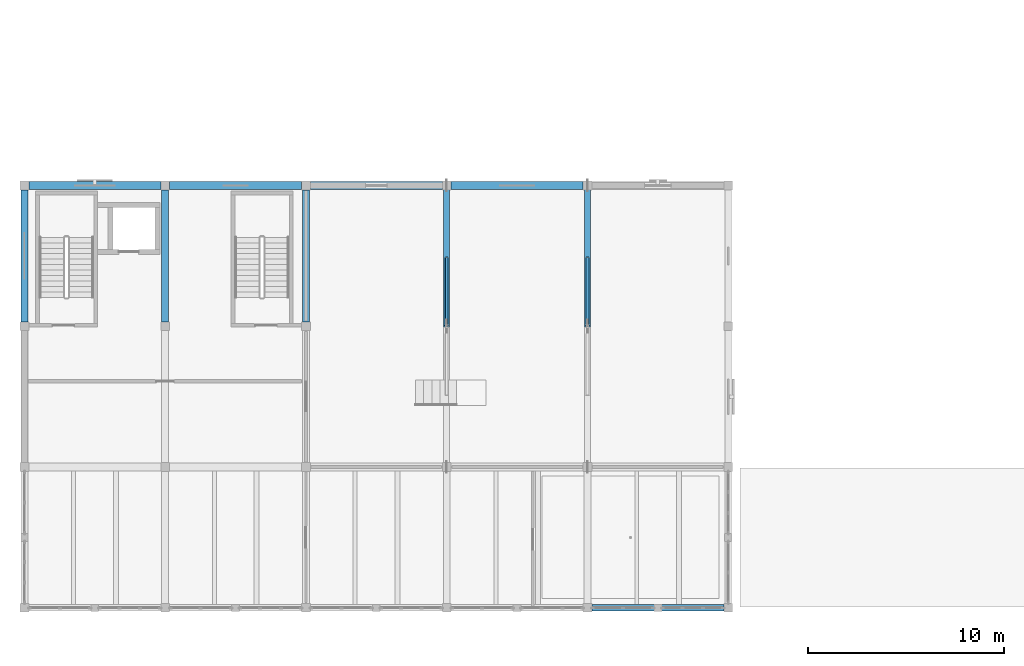
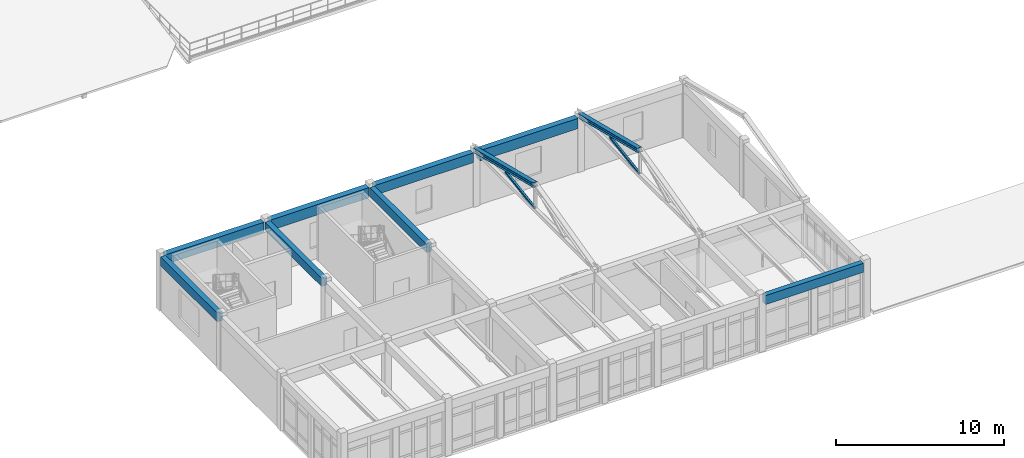
# One storey, part 10 of 136: 8 beams, 4 members.
"""IFC4 building model written with IfcOpenShell, lengths in metres."""

from ifc_helpers import new_model, si_unit, direction, frame, origin, origin_2d, place, context, subcontext, project, spatial, rectangle, hollow_rectangle, i_section, extrude, material, material_profile, profile_set, type_object, element, save


model = new_model("IFC4")

# Units and contexts
model_context = context("Model", 3, precision=1e-05, world=origin(), true_north=direction((0.0, 1.0)))
body_context = subcontext(model_context, "Body", "Model", "MODEL_VIEW")
ifc_project = project(units=[si_unit("LENGTHUNIT", "METRE"), si_unit("AREAUNIT", "SQUARE_METRE"), si_unit("VOLUMEUNIT", "CUBIC_METRE"), si_unit("PLANEANGLEUNIT", "RADIAN"), si_unit("MASSUNIT", "GRAM", prefix="KILO")], contexts=[model_context])

# Site, building, storey
site_placement = place(None, origin())
site = spatial("IfcSite", under=ifc_project, at=site_placement, CompositionType="ELEMENT")
building_placement = place(site_placement, origin())
building = spatial("IfcBuilding", under=site, at=building_placement, Name="Koriwan Promenade Central Fire Station", CompositionType="ELEMENT")
storey_placement = place(building_placement, frame((0.0, 0.0, 5.39990234375)))
storey = spatial("IfcBuildingStorey", under=building, at=storey_placement, Name="L01", CompositionType="ELEMENT", Elevation=5.39990234375)

# Beams
ifc_material_1 = material(Name="Concrete C35/45", Category="concrete")
ifc_material_profile_1 = material_profile(ifc_material_1, rectangle(XDim=0.35009765625, YDim=0.60009765625, at=origin_2d()), Name="RC-BM-350x600")
ifc_profile_set_1 = profile_set([ifc_material_profile_1], Name="Concrete C35/45")
beam_type_1 = type_object("IfcBeamType", Name="Beam_RC-BM-350x600", PredefinedType="BEAM", material=ifc_profile_set_1)
beam_1_placement = place(storey_placement, frame((7.199951171875, 14.625, 3.650146484375), z_axis=(0.0, 1.0, 0.0), x_axis=(-1.0, 0.0, 0.0)))
element("IfcBeam", 1, at=beam_1_placement, inside=storey, type_object=beam_type_1, Name="V3 L01 girder Y-290", PredefinedType="BEAM", context=body_context, shape_type="SweptSolid", body=[
    extrude(rectangle(XDim=0.35009765625, YDim=0.60009765625, at=origin_2d()), origin(), (0.0, 0.0, 1.0), 6.75),
])
ifc_material_profile_2 = material_profile(ifc_material_1, rectangle(XDim=0.35009765625, YDim=0.64990234375, at=origin_2d()), Name="RC-BM-350x650")
ifc_profile_set_2 = profile_set([ifc_material_profile_2], Name="Concrete C35/45")
beam_type_2 = type_object("IfcBeamType", Name="Beam_RC-BM-350x650", PredefinedType="BEAM", material=ifc_profile_set_2)
for number, where, z_axis, x_axis, name in (
    (2, (0.0, 14.625, 3.625), (0.0, 1.0, 0.0), (-1.0, 0.0, 0.0), "V3 L01 girder Y-287"),
    (3, (14.39990234375, 14.625, 3.625), (0.0, 1.0, 0.0), (-1.0, 0.0, 0.0), "V3 L01 girder Y-293"),
):
    element("IfcBeam", number, at=place(storey_placement, frame(where, z_axis=z_axis, x_axis=x_axis)), inside=storey, type_object=beam_type_2, Name=name, PredefinedType="BEAM", context=body_context, shape_type="SweptSolid", body=[
        extrude(rectangle(XDim=0.35009765625, YDim=0.64990234375, at=origin_2d()), origin(), (0.0, 0.0, 1.0), 6.75),
    ])
ifc_material_profile_3 = material_profile(ifc_material_1, rectangle(XDim=0.39990234375, YDim=0.699951171875, at=origin_2d()), Name="RC-BM-400x700")
ifc_profile_set_3 = profile_set([ifc_material_profile_3], Name="Concrete C35/45")
beam_type_3 = type_object("IfcBeamType", Name="Beam_RC-BM-400x700", PredefinedType="BEAM", material=ifc_profile_set_3)
for number, where, z_axis, x_axis, name in (
    (4, (0.22509765625, 21.60009765625, 3.60009765625), (1.0, 0.0, 0.0), (0.0, 1.0, 0.0), "V3 L01 girder X-280"),
    (5, (14.625, 21.60009765625, 3.60009765625), (1.0, 0.0, 0.0), (0.0, 1.0, 0.0), "V3 L01 girder X-282"),
):
    element("IfcBeam", number, at=place(storey_placement, frame(where, z_axis=z_axis, x_axis=x_axis)), inside=storey, type_object=beam_type_3, Name=name, PredefinedType="BEAM", context=body_context, shape_type="SweptSolid", body=[
        extrude(rectangle(XDim=0.39990234375, YDim=0.699951171875, at=origin_2d()), origin(), (0.0, 0.0, 1.0), 6.75),
    ])
ifc_material_profile_4 = material_profile(ifc_material_1, rectangle(XDim=0.39990234375, YDim=0.75, at=origin_2d()), Name="RC-BM-400x750")
ifc_profile_set_4 = profile_set([ifc_material_profile_4], Name="Concrete C35/45")
beam_type_4 = type_object("IfcBeamType", Name="Beam_RC-BM-400x750", PredefinedType="BEAM", material=ifc_profile_set_4)
for number, where, z_axis, x_axis, name in (
    (6, (7.425048828125, 21.60009765625, 3.5751953125), (1.0, 0.0, 0.0), (0.0, 1.0, 0.0), "V3 L01 girder X-281"),
    (7, (21.824951171875, 21.60009765625, 3.5751953125), (1.0, 0.0, 0.0), (0.0, 1.0, 0.0), "V3 L01 girder X-283"),
):
    element("IfcBeam", number, at=place(storey_placement, frame(where, z_axis=z_axis, x_axis=x_axis)), inside=storey, type_object=beam_type_4, Name=name, PredefinedType="BEAM", context=body_context, shape_type="SweptSolid", body=[
        extrude(rectangle(XDim=0.39990234375, YDim=0.75, at=origin_2d()), origin(), (0.0, 0.0, 1.0), 6.75),
    ])
ifc_material_profile_5 = material_profile(ifc_material_1, rectangle(XDim=0.35009765625, YDim=0.64990234375, at=origin_2d()), Name="RC-SP-350x650")
ifc_profile_set_5 = profile_set([ifc_material_profile_5], Name="Concrete C35/45")
beam_type_5 = type_object("IfcBeamType", Name="Beam_RC-SP-350x650", PredefinedType="SPANDREL", material=ifc_profile_set_5)
beam_2_placement = place(storey_placement, frame((29.02490234375, 0.0, 3.635009765625), z_axis=(1.0, 0.0, 0.0), x_axis=(0.0, 1.0, 0.0)))
element("IfcBeam", 8, at=beam_2_placement, inside=storey, type_object=beam_type_5, Name="V3 L01 girder X-274", PredefinedType="SPANDREL", context=body_context, shape_type="SweptSolid", body=[
    extrude(rectangle(XDim=0.35009765625, YDim=0.64990234375, at=origin_2d()), origin(), (0.0, 0.0, 1.0), 6.75),
])

# Members
ifc_material_2 = material(Name="Steel ASTM A992 Grade 50", Category="steel")
ifc_material_profile_6 = material_profile(ifc_material_2, i_section(OverallWidth=0.304931640625, OverallDepth=0.30810546875, WebThickness=0.010009765625, FlangeThickness=0.015380859375, FilletRadius=0.014892578125, at=origin_2d()), Name="W310x97")
ifc_profile_set_6 = profile_set([ifc_material_profile_6], Name="Steel ASTM A992 Grade 50")
member_type_1 = type_object("IfcMemberType", Name="Member_CHORD_W310x97", PredefinedType="CHORD", material=ifc_profile_set_6)
for number, where, z_axis, x_axis, name in (
    (9, (21.60009765625, 14.39990234375, 5.81005859375), (0.0, 0.970459113766, -0.24126563889), (-1.0, 0.0, 0.0), "TR_V3_02 north top chord"),
    (10, (28.800048828125, 14.39990234375, 5.81005859375), (0.0, 0.970459113766, -0.24126563889), (-1.0, 0.0, 0.0), "TR_V3_03 north top chord"),
):
    element("IfcMember", number, at=place(storey_placement, frame(where, z_axis=z_axis, x_axis=x_axis)), inside=storey, type_object=member_type_1, Name=name, PredefinedType="CHORD", context=body_context, shape_type="SweptSolid", body=[
        extrude(i_section(OverallWidth=0.304931640625, OverallDepth=0.30810546875, WebThickness=0.010009765625, FlangeThickness=0.015380859375, FilletRadius=0.014892578125, at=origin_2d()), origin(), (0.0, 0.0, 1.0), 7.41943359375),
    ])
ifc_material_3 = material(Name="Steel ASTM A500 Grade C", Category="steel")
ifc_material_profile_7 = material_profile(ifc_material_3, hollow_rectangle(XDim=0.14990234375, YDim=0.14990234375, WallThickness=0.008056640625, InnerFilletRadius=0.008056640625, OuterFilletRadius=0.01611328125, at=origin_2d()), Name="HSS150x150x8")
ifc_profile_set_7 = profile_set([ifc_material_profile_7], Name="Steel ASTM A500 Grade C")
member_type_2 = type_object("IfcMemberType", Name="Member_STRUT_HSS150x150x8", PredefinedType="STRUT", material=ifc_profile_set_7)
for number, where, z_axis, x_axis, name in (
    (11, (21.60009765625, 14.47998046875, 4.070068359375), (0.0, 0.98790015523, 0.155091209607), (-1.0, 0.0, 0.0), "TR_V3_02 web diagonal 3"),
    (12, (28.800048828125, 14.47998046875, 4.070068359375), (0.0, 0.98790015523, 0.155091209607), (-1.0, 0.0, 0.0), "TR_V3_03 web diagonal 3"),
):
    element("IfcMember", number, at=place(storey_placement, frame(where, z_axis=z_axis, x_axis=x_axis)), inside=storey, type_object=member_type_2, Name=name, PredefinedType="STRUT", context=body_context, shape_type="SweptSolid", body=[
        extrude(hollow_rectangle(XDim=0.14990234375, YDim=0.14990234375, WallThickness=0.008056640625, InnerFilletRadius=0.008056640625, OuterFilletRadius=0.01611328125, at=origin_2d()), origin(), (0.0, 0.0, 1.0), 3.482177734375),
    ])

save(model, "model.ifc")
